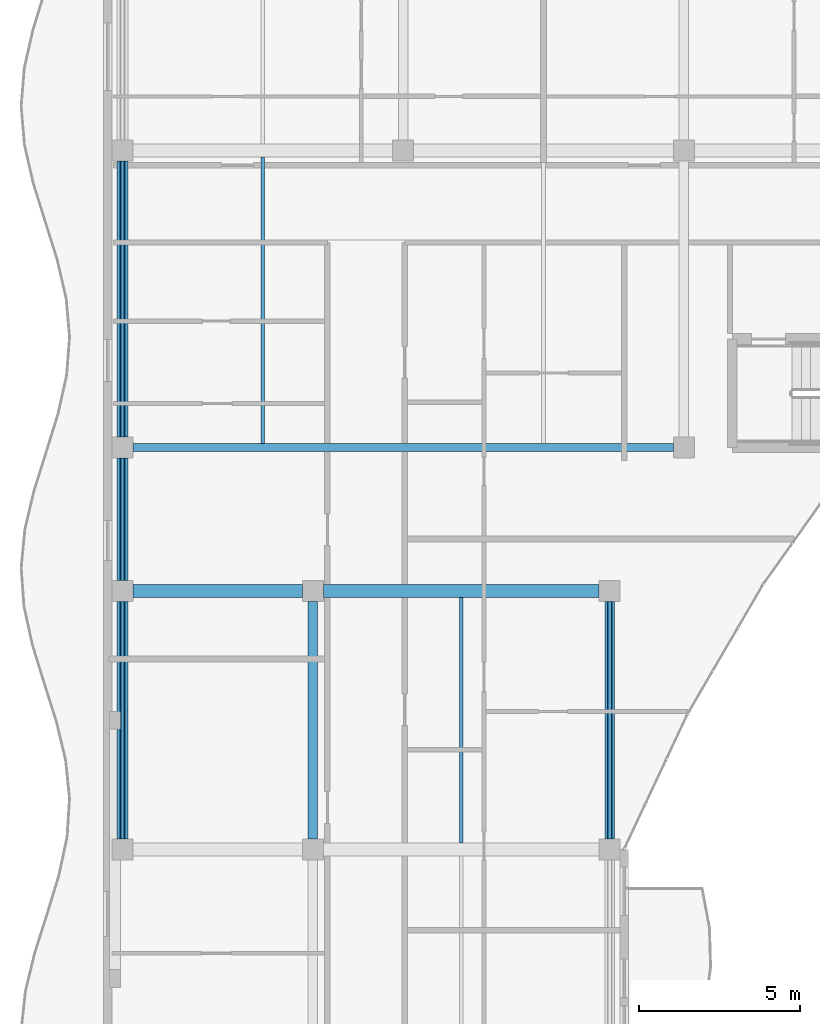
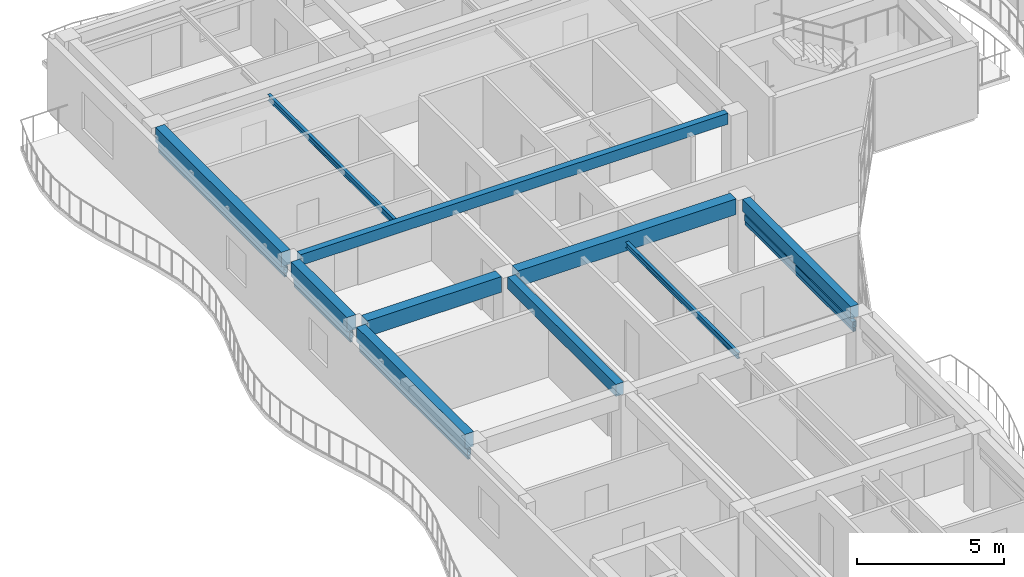
# One storey, part 8 of 89: 10 beams, 8 members.
"""IFC4 building model written with IfcOpenShell, lengths in metres."""

from ifc_helpers import new_model, si_unit, direction, frame, origin, origin_2d, place, context, subcontext, project, spatial, rectangle, hollow_rectangle, i_section, extrude, material, material_profile, profile_set, type_object, element, save


model = new_model("IFC4")

# Units and contexts
model_context = context("Model", 3, precision=1e-05, world=origin(), true_north=direction((0.0, 1.0)))
body_context = subcontext(model_context, "Body", "Model", "MODEL_VIEW")
ifc_project = project(units=[si_unit("LENGTHUNIT", "METRE"), si_unit("AREAUNIT", "SQUARE_METRE"), si_unit("VOLUMEUNIT", "CUBIC_METRE"), si_unit("PLANEANGLEUNIT", "RADIAN"), si_unit("MASSUNIT", "GRAM", prefix="KILO")], contexts=[model_context])

# Site, building, storey
site_placement = place(None, origin())
site = spatial("IfcSite", under=ifc_project, at=site_placement, CompositionType="ELEMENT")
building_placement = place(site_placement, origin())
building = spatial("IfcBuilding", under=site, at=building_placement, Name="Keldmere Railside Commons", CompositionType="ELEMENT")
storey_placement = place(building_placement, frame((0.0, 0.0, 7.360107421875)))
storey = spatial("IfcBuildingStorey", under=building, at=storey_placement, Name="L02", CompositionType="ELEMENT", Elevation=7.360107421875)

# Members
ifc_material_1 = material(Name="Steel F-36 (S355)", Category="steel")
ifc_material_profile_1 = material_profile(ifc_material_1, hollow_rectangle(XDim=0.14990234375, YDim=0.25, WallThickness=0.010009765625, at=origin_2d()), Name="RHS-250x150x10")
ifc_profile_set_1 = profile_set([ifc_material_profile_1], Name="Steel F-36 (S355)")
member_type_1 = type_object("IfcMemberType", Name="Balcony Continuous Planted Trough RHS250x150", PredefinedType="CHORD", material=ifc_profile_set_1)
member_1_placement = place(storey_placement, frame((8.449951171875, 88.324951171875, 2.414794921875), z_axis=(0.0, 1.0, 0.0), x_axis=(-1.0, 0.0, 0.0)))
element("IfcMember", 1, at=member_1_placement, inside=storey, type_object=member_type_1, Name="PLT-1 MEM-BPLT-0219", PredefinedType="CHORD", context=body_context, shape_type="SweptSolid", body=[
    extrude(hollow_rectangle(XDim=0.14990234375, YDim=0.25, WallThickness=0.010009765625, at=origin_2d()), origin(), (0.0, 0.0, 1.0), 7.35009765625),
])
member_2_placement = place(storey_placement, frame((8.449951171875, 96.324951171875, 2.414794921875), z_axis=(0.0, 1.0, 0.0), x_axis=(-1.0, 0.0, 0.0)))
element("IfcMember", 2, at=member_2_placement, inside=storey, type_object=member_type_1, Name="PLT-1 MEM-BPLT-0221", PredefinedType="CHORD", context=body_context, shape_type="SweptSolid", body=[
    extrude(hollow_rectangle(XDim=0.14990234375, YDim=0.25, WallThickness=0.010009765625, at=origin_2d()), origin(), (0.0, 0.0, 1.0), 3.800048828125),
])
member_3_placement = place(storey_placement, frame((8.449951171875, 100.77490234375, 2.414794921875), z_axis=(0.0, 1.0, 0.0), x_axis=(-1.0, 0.0, 0.0)))
element("IfcMember", 3, at=member_3_placement, inside=storey, type_object=member_type_1, Name="PLT-1 MEM-BPLT-0223", PredefinedType="CHORD", context=body_context, shape_type="SweptSolid", body=[
    extrude(hollow_rectangle(XDim=0.14990234375, YDim=0.25, WallThickness=0.010009765625, at=origin_2d()), origin(), (0.0, 0.0, 1.0), 8.550048828125),
])
member_4_placement = place(storey_placement, frame((23.550048828125, 88.324951171875, 2.414794921875), z_axis=(0.0, 1.0, 0.0), x_axis=(-1.0, 0.0, 0.0)))
element("IfcMember", 4, at=member_4_placement, inside=storey, type_object=member_type_1, Name="PLT-1 MEM-BPLT-0235", PredefinedType="CHORD", context=body_context, shape_type="SweptSolid", body=[
    extrude(hollow_rectangle(XDim=0.14990234375, YDim=0.25, WallThickness=0.010009765625, at=origin_2d()), origin(), (0.0, 0.0, 1.0), 7.35009765625),
])

# Beams
ifc_material_profile_2 = material_profile(ifc_material_1, i_section(OverallWidth=0.1201171875, OverallDepth=0.239990234375, WebThickness=0.006103515625, FlangeThickness=0.009765625, at=origin_2d()), Name="IPE-240")
ifc_profile_set_2 = profile_set([ifc_material_profile_2], Name="Steel F-36 (S355)")
beam_type_1 = type_object("IfcBeamType", Name="Nursery & Mezzanine Steel Joist IPE240", PredefinedType="JOIST", material=ifc_profile_set_2)
beam_1_placement = place(storey_placement, frame((18.949951171875, 88.199951171875, 2.809814453125), z_axis=(0.0, 1.0, 0.0), x_axis=(-1.0, 0.0, 0.0)))
element("IfcBeam", 5, at=beam_1_placement, inside=storey, type_object=beam_type_1, Name="JST-2 BM-L02-1293", PredefinedType="JOIST", context=body_context, shape_type="SweptSolid", body=[
    extrude(i_section(OverallWidth=0.1201171875, OverallDepth=0.239990234375, WebThickness=0.006103515625, FlangeThickness=0.009765625, at=origin_2d()), origin(), (0.0, 0.0, 1.0), 7.60009765625),
])
beam_2_placement = place(storey_placement, frame((12.800048828125, 100.574951171875, 2.809814453125), z_axis=(0.0, 1.0, 0.0), x_axis=(-1.0, 0.0, 0.0)))
element("IfcBeam", 6, at=beam_2_placement, inside=storey, type_object=beam_type_1, Name="JST-2 BM-L02-1297", PredefinedType="JOIST", context=body_context, shape_type="SweptSolid", body=[
    extrude(i_section(OverallWidth=0.1201171875, OverallDepth=0.239990234375, WebThickness=0.006103515625, FlangeThickness=0.009765625, at=origin_2d()), origin(), (0.0, 0.0, 1.0), 8.875),
])
ifc_material_2 = material(Name="Architectural Precast Concrete H-35 (C35/45)", Category="concrete")
ifc_material_profile_3 = material_profile(ifc_material_2, rectangle(XDim=0.25, YDim=0.449951171875, at=origin_2d()), Name="RC-250x450")
ifc_profile_set_3 = profile_set([ifc_material_profile_3], Name="Architectural Precast Concrete H-35 (C35/45)")
beam_type_2 = type_object("IfcBeamType", Name="Perimeter Precast Spandrel Beam 250x450", PredefinedType="SPANDREL", material=ifc_profile_set_3)
beam_3_placement = place(storey_placement, frame((8.77490234375, 100.449951171875, 2.974853515625), z_axis=(1.0, 0.0, 0.0), x_axis=(0.0, 1.0, 0.0)))
element("IfcBeam", 7, at=beam_3_placement, inside=storey, type_object=beam_type_2, Name="SPB-1 BM-L02-1108", PredefinedType="SPANDREL", context=body_context, shape_type="SweptSolid", body=[
    extrude(rectangle(XDim=0.25, YDim=0.449951171875, at=origin_2d()), origin(), (0.0, 0.0, 1.0), 16.75),
])
ifc_material_3 = material(Name="Concrete H-30 (C30/37)", Category="concrete")
ifc_material_profile_4 = material_profile(ifc_material_3, rectangle(XDim=0.35009765625, YDim=0.60009765625, at=origin_2d()), Name="RC-350x600")
ifc_profile_set_4 = profile_set([ifc_material_profile_4], Name="Concrete H-30 (C30/37)")
beam_type_3 = type_object("IfcBeamType", Name="Residential Chord RC Beam 350x600", PredefinedType="BEAM", material=ifc_profile_set_4)
beam_4_placement = place(storey_placement, frame((8.449951171875, 88.324951171875, 2.89990234375), z_axis=(0.0, 1.0, 0.0), x_axis=(-1.0, 0.0, 0.0)))
element("IfcBeam", 8, at=beam_4_placement, inside=storey, type_object=beam_type_3, Name="BG-4 BM-L02-1158", PredefinedType="BEAM", context=body_context, shape_type="SweptSolid", body=[
    extrude(rectangle(XDim=0.35009765625, YDim=0.60009765625, at=origin_2d()), origin(), (0.0, 0.0, 1.0), 7.35009765625),
])
beam_5_placement = place(storey_placement, frame((8.449951171875, 96.324951171875, 2.89990234375), z_axis=(0.0, 1.0, 0.0), x_axis=(-1.0, 0.0, 0.0)))
element("IfcBeam", 9, at=beam_5_placement, inside=storey, type_object=beam_type_3, Name="BG-4 BM-L02-1159", PredefinedType="BEAM", context=body_context, shape_type="SweptSolid", body=[
    extrude(rectangle(XDim=0.35009765625, YDim=0.60009765625, at=origin_2d()), origin(), (0.0, 0.0, 1.0), 3.800048828125),
])
beam_6_placement = place(storey_placement, frame((8.449951171875, 100.77490234375, 2.89990234375), z_axis=(0.0, 1.0, 0.0), x_axis=(-1.0, 0.0, 0.0)))
element("IfcBeam", 10, at=beam_6_placement, inside=storey, type_object=beam_type_3, Name="BG-4 BM-L02-1160", PredefinedType="BEAM", context=body_context, shape_type="SweptSolid", body=[
    extrude(rectangle(XDim=0.35009765625, YDim=0.60009765625, at=origin_2d()), origin(), (0.0, 0.0, 1.0), 8.550048828125),
])
ifc_material_profile_5 = material_profile(ifc_material_3, rectangle(XDim=0.39990234375, YDim=0.64990234375, at=origin_2d()), Name="RC-400x650")
ifc_profile_set_5 = profile_set([ifc_material_profile_5], Name="Concrete H-30 (C30/37)")
beam_type_4 = type_object("IfcBeamType", Name="Residential Spine RC Girder 400x650", PredefinedType="BEAM", material=ifc_profile_set_5)
beam_7_placement = place(storey_placement, frame((8.77490234375, 96.0, 2.875), z_axis=(1.0, 0.0, 0.0), x_axis=(0.0, 1.0, 0.0)))
element("IfcBeam", 11, at=beam_7_placement, inside=storey, type_object=beam_type_4, Name="BG-3 BM-L02-1100", PredefinedType="BEAM", context=body_context, shape_type="SweptSolid", body=[
    extrude(rectangle(XDim=0.39990234375, YDim=0.64990234375, at=origin_2d()), origin(), (0.0, 0.0, 1.0), 5.25),
])
beam_8_placement = place(storey_placement, frame((14.675048828125, 96.0, 2.875), z_axis=(1.0, 0.0, 0.0), x_axis=(0.0, 1.0, 0.0)))
element("IfcBeam", 12, at=beam_8_placement, inside=storey, type_object=beam_type_4, Name="BG-3 BM-L02-1101", PredefinedType="BEAM", context=body_context, shape_type="SweptSolid", body=[
    extrude(rectangle(XDim=0.39990234375, YDim=0.64990234375, at=origin_2d()), origin(), (0.0, 0.0, 1.0), 8.550048828125),
])
ifc_material_profile_6 = material_profile(ifc_material_3, rectangle(XDim=0.300048828125, YDim=0.5, at=origin_2d()), Name="RC-300x500")
ifc_profile_set_6 = profile_set([ifc_material_profile_6], Name="Concrete H-30 (C30/37)")
beam_type_5 = type_object("IfcBeamType", Name="Secondary Frame RC Beam 300x500", PredefinedType="BEAM", material=ifc_profile_set_6)
for number, where, z_axis, x_axis, name in (
    (13, (14.35009765625, 88.324951171875, 2.949951171875), (0.0, 1.0, 0.0), (-1.0, 0.0, 0.0), "BG-5 BM-L02-1166"),
    (14, (23.550048828125, 88.324951171875, 2.949951171875), (0.0, 1.0, 0.0), (-1.0, 0.0, 0.0), "BG-5 BM-L02-1172"),
):
    element("IfcBeam", number, at=place(storey_placement, frame(where, z_axis=z_axis, x_axis=x_axis)), inside=storey, type_object=beam_type_5, Name=name, PredefinedType="BEAM", context=body_context, shape_type="SweptSolid", body=[
        extrude(rectangle(XDim=0.300048828125, YDim=0.5, at=origin_2d()), origin(), (0.0, 0.0, 1.0), 7.35009765625),
    ])

# Members
ifc_material_profile_7 = material_profile(ifc_material_1, hollow_rectangle(XDim=0.10009765625, YDim=0.159912109375, WallThickness=0.008056640625, at=origin_2d()), Name="RHS-160x100x8")
ifc_profile_set_7 = profile_set([ifc_material_profile_7], Name="Steel F-36 (S355)")
member_type_2 = type_object("IfcMemberType", Name="Solar Brise-Soleil Louvre Fin RHS160x100", PredefinedType="STRUT", material=ifc_profile_set_7)
member_5_placement = place(storey_placement, frame((8.449951171875, 88.324951171875, 2.199951171875), z_axis=(0.0, 1.0, 0.0), x_axis=(-1.0, 0.0, 0.0)))
element("IfcMember", 15, at=member_5_placement, inside=storey, type_object=member_type_2, Name="BSF-1 MEM-BSF-0220", PredefinedType="STRUT", context=body_context, shape_type="SweptSolid", body=[
    extrude(hollow_rectangle(XDim=0.10009765625, YDim=0.159912109375, WallThickness=0.008056640625, at=origin_2d()), origin(), (0.0, 0.0, 1.0), 7.35009765625),
])
member_6_placement = place(storey_placement, frame((8.449951171875, 96.324951171875, 2.199951171875), z_axis=(0.0, 1.0, 0.0), x_axis=(-1.0, 0.0, 0.0)))
element("IfcMember", 16, at=member_6_placement, inside=storey, type_object=member_type_2, Name="BSF-1 MEM-BSF-0222", PredefinedType="STRUT", context=body_context, shape_type="SweptSolid", body=[
    extrude(hollow_rectangle(XDim=0.10009765625, YDim=0.159912109375, WallThickness=0.008056640625, at=origin_2d()), origin(), (0.0, 0.0, 1.0), 3.800048828125),
])
member_7_placement = place(storey_placement, frame((8.449951171875, 100.77490234375, 2.199951171875), z_axis=(0.0, 1.0, 0.0), x_axis=(-1.0, 0.0, 0.0)))
element("IfcMember", 17, at=member_7_placement, inside=storey, type_object=member_type_2, Name="BSF-1 MEM-BSF-0224", PredefinedType="STRUT", context=body_context, shape_type="SweptSolid", body=[
    extrude(hollow_rectangle(XDim=0.10009765625, YDim=0.159912109375, WallThickness=0.008056640625, at=origin_2d()), origin(), (0.0, 0.0, 1.0), 8.550048828125),
])
member_8_placement = place(storey_placement, frame((23.550048828125, 88.324951171875, 2.199951171875), z_axis=(0.0, 1.0, 0.0), x_axis=(-1.0, 0.0, 0.0)))
element("IfcMember", 18, at=member_8_placement, inside=storey, type_object=member_type_2, Name="BSF-1 MEM-BSF-0236", PredefinedType="STRUT", context=body_context, shape_type="SweptSolid", body=[
    extrude(hollow_rectangle(XDim=0.10009765625, YDim=0.159912109375, WallThickness=0.008056640625, at=origin_2d()), origin(), (0.0, 0.0, 1.0), 7.35009765625),
])

save(model, "model.ifc")
